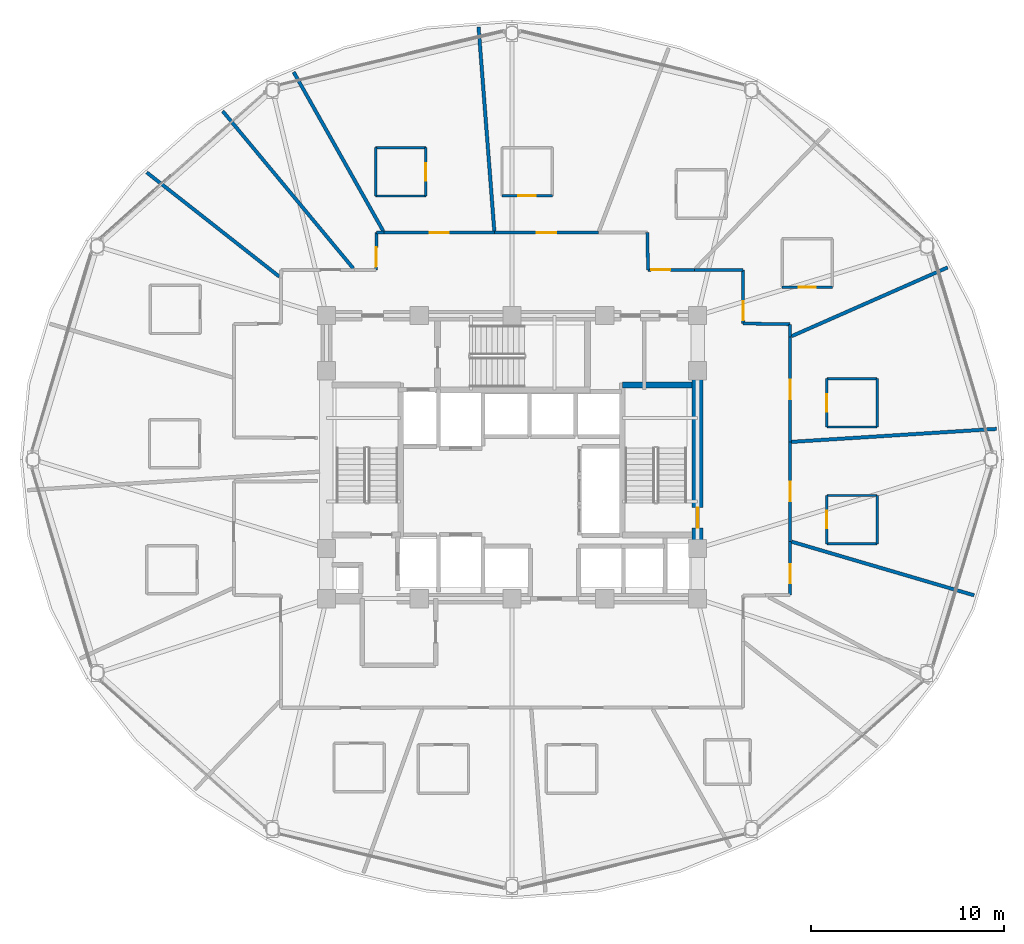
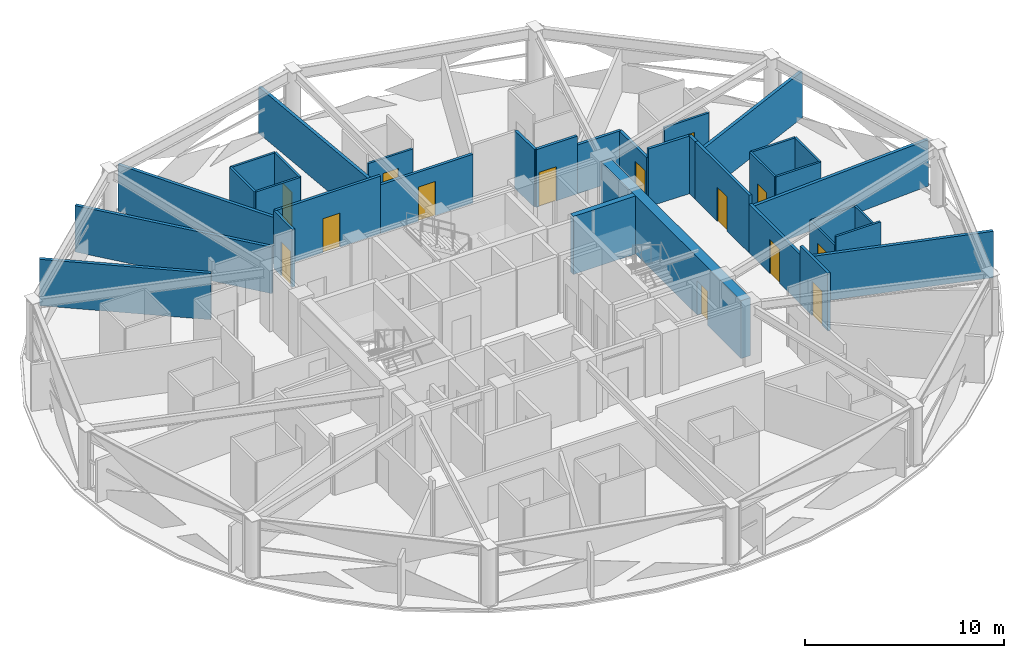
# One storey, part 25 of 30: 36 walls, 14 doors, 14 openings.
"""IFC4 building model written with IfcOpenShell, lengths in metres."""

from ifc_helpers import new_model, si_unit, direction, frame, frame_2d, origin, place, context, subcontext, project, spatial, rectangle, extrude, material, layer, layer_set, type_object, element, fill, save


model = new_model("IFC4")

# Units and contexts
model_context = context("Model", 3, precision=1e-05, world=origin(), true_north=direction((0.0, 1.0)))
body_context = subcontext(model_context, "Body", "Model", "MODEL_VIEW")
ifc_project = project(units=[si_unit("LENGTHUNIT", "METRE"), si_unit("AREAUNIT", "SQUARE_METRE"), si_unit("VOLUMEUNIT", "CUBIC_METRE"), si_unit("PLANEANGLEUNIT", "RADIAN"), si_unit("MASSUNIT", "GRAM", prefix="KILO")], contexts=[model_context])

# Site, building, storey
site_placement = place(None, origin())
site = spatial("IfcSite", under=ifc_project, at=site_placement, CompositionType="ELEMENT")
building_placement = place(site_placement, origin())
building = spatial("IfcBuilding", under=site, at=building_placement, Name="Vantalir Tower", CompositionType="ELEMENT")
storey_placement = place(building_placement, frame((0.0, 0.0, 153.449951171875)))
storey = spatial("IfcBuildingStorey", under=building, at=storey_placement, Name="L38", CompositionType="ELEMENT", Elevation=153.449951171875)

# Walls
ifc_material_1 = material(Name="Moisture-resistant en-suite partition", Category="gypsum")
ifc_layer_1 = layer(ifc_material_1, 0.125)
ifc_layer_set_1 = layer_set([ifc_layer_1], Name="Moisture-resistant en-suite partition")
wall_type_1 = type_object("IfcWallType", Name="WL-BATH-125", PredefinedType="PARTITIONING", material=ifc_layer_set_1)
for number, where, z_axis, x_axis, name in (
    (1, (47.7939453125, 26.68505859375, 0.0), (0.0, 0.0, 1.0), (1.0, 0.0, 0.0), "L38 En-suite 01 South Wall"),
    (2, (47.7939453125, 29.18505859375, 0.0), (0.0, 0.0, 1.0), (1.0, 0.0, 0.0), "L38 En-suite 01 North Wall"),
):
    element("IfcWall", number, at=place(storey_placement, frame(where, z_axis=z_axis, x_axis=x_axis)), inside=storey, type_object=wall_type_1, Name=name, PredefinedType="PARTITIONING", context=body_context, shape_type="SweptSolid", body=[
        extrude(rectangle(XDim=2.60009765625, YDim=0.125, at=frame_2d((1.300048828125, 0.0))), origin(), (0.0, 0.0, 1.0), 3.550048828125),
    ])

# Wall, opening, door
wall_1_placement = place(storey_placement, frame((47.7939453125, 26.68505859375, 0.0), z_axis=(0.0, 0.0, 1.0), x_axis=(0.0, 1.0, 0.0)))
wall_1 = element("IfcWall", 3, at=wall_1_placement, inside=storey, type_object=wall_type_1, Name="L38 En-suite 01 West Wall", PredefinedType="PARTITIONING", context=body_context, shape_type="SweptSolid", body=[
    extrude(rectangle(XDim=2.5, YDim=0.125, at=frame_2d((1.25, 0.0))), origin(), (0.0, 0.0, 1.0), 3.550048828125),
])
opening_1_placement = place(wall_1_placement, frame((0.800048828125, 0.0, 0.0)))
opening_1 = element("IfcOpeningElement", 4, at=opening_1_placement, cuts=wall_1, Name="Opening D-WC", PredefinedType="OPENING", context=body_context, shape_type="SweptSolid", body=[
    extrude(rectangle(XDim=0.89990234375, YDim=2.10009765625, at=frame_2d((0.449951171875, 1.050048828125))), frame((0.0, 0.072509765625, 0.0), z_axis=(0.0, -1.0, 0.0), x_axis=(1.0, 0.0, 0.0)), (0.0, 0.0, 1.0), 0.14501953125),
])
ifc_material_2 = material(Name="Moisture-resistant hardwood door", Category="wood")
door_type_1 = type_object("IfcDoorType", Name="DR-ENSUITE-900", OperationType="NOTDEFINED", PredefinedType="DOOR", material=ifc_material_2)
door_1_placement = place(opening_1_placement, frame((0.89990234375, 0.0, 0.0), z_axis=(0.0, 0.0, 1.0), x_axis=(-1.0, 0.0, 0.0)))
door_1 = element("IfcDoor", 5, at=door_1_placement, inside=storey, type_object=door_type_1, Name="L38 En-suite 01 Door", OperationType="SINGLE_SWING_RIGHT", OverallHeight=2.10009765625, OverallWidth=0.89990234375, PredefinedType="DOOR", context=body_context, shape_type="SweptSolid", body=[
    extrude(rectangle(XDim=0.89990234375, YDim=2.10009765625, at=frame_2d((0.449951171875, 1.050048828125))), frame((0.0, 0.02490234375, 0.0), z_axis=(0.0, -1.0, 0.0), x_axis=(1.0, 0.0, 0.0)), (0.0, 0.0, 1.0), 0.050048828125),
])
fill(opening_1, door_1)

# Wall
wall_2_placement = place(storey_placement, frame((50.39404296875, 26.68505859375, 0.0), z_axis=(0.0, 0.0, 1.0), x_axis=(0.0, 1.0, 0.0)))
element("IfcWall", 6, at=wall_2_placement, inside=storey, type_object=wall_type_1, Name="L38 En-suite 01 East Wall", PredefinedType="PARTITIONING", context=body_context, shape_type="SweptSolid", body=[
    extrude(rectangle(XDim=2.5, YDim=0.125, at=frame_2d((1.25, 0.0))), origin(), (0.0, 0.0, 1.0), 3.550048828125),
])

# Wall, opening, door
wall_3_placement = place(storey_placement, frame((45.47900390625, 33.919921875, 0.0), z_axis=(0.0, 0.0, 1.0), x_axis=(1.0, 0.0, 0.0)))
wall_3 = element("IfcWall", 7, at=wall_3_placement, inside=storey, type_object=wall_type_1, Name="L38 En-suite 02 South Wall", PredefinedType="PARTITIONING", context=body_context, shape_type="SweptSolid", body=[
    extrude(rectangle(XDim=2.60009765625, YDim=0.125, at=frame_2d((1.300048828125, 0.0))), origin(), (0.0, 0.0, 1.0), 3.006103515625),
])
opening_2_placement = place(wall_3_placement, frame((0.85009765625, 0.0, 0.0)))
opening_2 = element("IfcOpeningElement", 8, at=opening_2_placement, cuts=wall_3, Name="Opening D-WC", PredefinedType="OPENING", context=body_context, shape_type="SweptSolid", body=[
    extrude(rectangle(XDim=0.89990234375, YDim=2.10009765625, at=frame_2d((0.449951171875, 1.050048828125))), frame((0.0, 0.072509765625, 0.0), z_axis=(0.0, -1.0, 0.0), x_axis=(1.0, 0.0, 0.0)), (0.0, 0.0, 1.0), 0.14501953125),
])
door_2_placement = place(opening_2_placement, origin())
door_2 = element("IfcDoor", 9, at=door_2_placement, inside=storey, type_object=door_type_1, Name="L38 En-suite 02 Door", OperationType="SINGLE_SWING_LEFT", OverallHeight=2.10009765625, OverallWidth=0.89990234375, PredefinedType="DOOR", context=body_context, shape_type="SweptSolid", body=[
    extrude(rectangle(XDim=0.89990234375, YDim=2.10009765625, at=frame_2d((0.449951171875, 1.050048828125))), frame((0.0, 0.02490234375, 0.0), z_axis=(0.0, -1.0, 0.0), x_axis=(1.0, 0.0, 0.0)), (0.0, 0.0, 1.0), 0.050048828125),
])
fill(opening_2, door_2)

wall_4_placement = place(storey_placement, frame((30.98291015625, 38.64404296875, 0.0), z_axis=(0.0, 0.0, 1.0), x_axis=(1.0, 0.0, 0.0)))
wall_4 = element("IfcWall", 10, at=wall_4_placement, inside=storey, type_object=wall_type_1, Name="L38 En-suite 04 South Wall", PredefinedType="PARTITIONING", context=body_context, shape_type="SweptSolid", body=[
    extrude(rectangle(XDim=2.60009765625, YDim=0.125, at=frame_2d((1.300048828125, 0.0))), origin(), (0.0, 0.0, 1.0), 3.006103515625),
])
opening_3_placement = place(wall_4_placement, frame((0.85009765625, 0.0, 0.0)))
opening_3 = element("IfcOpeningElement", 11, at=opening_3_placement, cuts=wall_4, Name="Opening D-WC", PredefinedType="OPENING", context=body_context, shape_type="SweptSolid", body=[
    extrude(rectangle(XDim=0.89990234375, YDim=2.10009765625, at=frame_2d((0.449951171875, 1.050048828125))), frame((0.0, 0.072509765625, 0.0), z_axis=(0.0, -1.0, 0.0), x_axis=(1.0, 0.0, 0.0)), (0.0, 0.0, 1.0), 0.14501953125),
])
door_3_placement = place(opening_3_placement, origin())
door_3 = element("IfcDoor", 12, at=door_3_placement, inside=storey, type_object=door_type_1, Name="L38 En-suite 04 Door", OperationType="SINGLE_SWING_LEFT", OverallHeight=2.10009765625, OverallWidth=0.89990234375, PredefinedType="DOOR", context=body_context, shape_type="SweptSolid", body=[
    extrude(rectangle(XDim=0.89990234375, YDim=2.10009765625, at=frame_2d((0.449951171875, 1.050048828125))), frame((0.0, 0.02490234375, 0.0), z_axis=(0.0, -1.0, 0.0), x_axis=(1.0, 0.0, 0.0)), (0.0, 0.0, 1.0), 0.050048828125),
])
fill(opening_3, door_3)

# Walls
for number, where, z_axis, x_axis, name in (
    (13, (24.444091796875, 38.635986328125, 0.0), (0.0, 0.0, 1.0), (1.0, 0.0, 0.0), "L38 En-suite 05 South Wall"),
    (14, (24.444091796875, 41.135986328125, 0.0), (0.0, 0.0, 1.0), (1.0, 0.0, 0.0), "L38 En-suite 05 North Wall"),
):
    element("IfcWall", number, at=place(storey_placement, frame(where, z_axis=z_axis, x_axis=x_axis)), inside=storey, type_object=wall_type_1, Name=name, PredefinedType="PARTITIONING", context=body_context, shape_type="SweptSolid", body=[
        extrude(rectangle(XDim=2.599853515625, YDim=0.125, at=frame_2d((1.2998046875, 0.0))), origin(), (0.0, 0.0, 1.0), 3.550048828125),
    ])
wall_5_placement = place(storey_placement, frame((24.444091796875, 38.635986328125, 0.0), z_axis=(0.0, 0.0, 1.0), x_axis=(0.0, 1.0, 0.0)))
element("IfcWall", 15, at=wall_5_placement, inside=storey, type_object=wall_type_1, Name="L38 En-suite 05 West Wall", PredefinedType="PARTITIONING", context=body_context, shape_type="SweptSolid", body=[
    extrude(rectangle(XDim=2.5, YDim=0.125, at=frame_2d((1.25, 0.0))), origin(), (0.0, 0.0, 1.0), 3.550048828125),
])

# Wall, opening, door
wall_6_placement = place(storey_placement, frame((27.0439453125, 38.635986328125, 0.0), z_axis=(0.0, 0.0, 1.0), x_axis=(0.0, 1.0, 0.0)))
wall_6 = element("IfcWall", 16, at=wall_6_placement, inside=storey, type_object=wall_type_1, Name="L38 En-suite 05 East Wall", PredefinedType="PARTITIONING", context=body_context, shape_type="SweptSolid", body=[
    extrude(rectangle(XDim=2.5, YDim=0.125, at=frame_2d((1.25, 0.0))), origin(), (0.0, 0.0, 1.0), 3.550048828125),
])
opening_4_placement = place(wall_6_placement, frame((0.800048828125, 0.0, 0.0)))
opening_4 = element("IfcOpeningElement", 17, at=opening_4_placement, cuts=wall_6, Name="Opening D-WC", PredefinedType="OPENING", context=body_context, shape_type="SweptSolid", body=[
    extrude(rectangle(XDim=0.89990234375, YDim=2.10009765625, at=frame_2d((0.449951171875, 1.050048828125))), frame((0.0, 0.072509765625, 0.0), z_axis=(0.0, -1.0, 0.0), x_axis=(1.0, 0.0, 0.0)), (0.0, 0.0, 1.0), 0.14501953125),
])
door_4_placement = place(opening_4_placement, origin())
door_4 = element("IfcDoor", 18, at=door_4_placement, inside=storey, type_object=door_type_1, Name="L38 En-suite 05 Door", OperationType="SINGLE_SWING_RIGHT", OverallHeight=2.10009765625, OverallWidth=0.89990234375, PredefinedType="DOOR", context=body_context, shape_type="SweptSolid", body=[
    extrude(rectangle(XDim=0.89990234375, YDim=2.10009765625, at=frame_2d((0.449951171875, 1.050048828125))), frame((0.0, 0.02490234375, 0.0), z_axis=(0.0, -1.0, 0.0), x_axis=(1.0, 0.0, 0.0)), (0.0, 0.0, 1.0), 0.050048828125),
])
fill(opening_4, door_4)

# Walls
wall_7_placement = place(storey_placement, frame((47.7939453125, 20.64111328125, 0.0), z_axis=(0.0, 0.0, 1.0), x_axis=(1.0, 0.0, 0.0)))
element("IfcWall", 19, at=wall_7_placement, inside=storey, type_object=wall_type_1, Name="L38 En-suite 18 South Wall", PredefinedType="PARTITIONING", context=body_context, shape_type="SweptSolid", body=[
    extrude(rectangle(XDim=2.60009765625, YDim=0.125, at=frame_2d((1.300048828125, 0.0))), origin(), (0.0, 0.0, 1.0), 3.550048828125),
])
wall_8_placement = place(storey_placement, frame((47.7939453125, 23.14111328125, 0.0), z_axis=(0.0, 0.0, 1.0), x_axis=(1.0, 0.0, 0.0)))
element("IfcWall", 20, at=wall_8_placement, inside=storey, type_object=wall_type_1, Name="L38 En-suite 18 North Wall", PredefinedType="PARTITIONING", context=body_context, shape_type="SweptSolid", body=[
    extrude(rectangle(XDim=2.60009765625, YDim=0.125, at=frame_2d((1.300048828125, 0.0))), origin(), (0.0, 0.0, 1.0), 3.006103515625),
])

# Wall, opening, door
wall_9_placement = place(storey_placement, frame((47.7939453125, 20.64111328125, 0.0), z_axis=(0.0, 0.0, 1.0), x_axis=(0.0, 1.0, 0.0)))
wall_9 = element("IfcWall", 21, at=wall_9_placement, inside=storey, type_object=wall_type_1, Name="L38 En-suite 18 West Wall", PredefinedType="PARTITIONING", context=body_context, shape_type="SweptSolid", body=[
    extrude(rectangle(XDim=2.5, YDim=0.125, at=frame_2d((1.25, 0.0))), origin(), (0.0, 0.0, 1.0), 3.006103515625),
])
opening_5_placement = place(wall_9_placement, frame((0.800048828125, 0.0, 0.0)))
opening_5 = element("IfcOpeningElement", 22, at=opening_5_placement, cuts=wall_9, Name="Opening D-WC", PredefinedType="OPENING", context=body_context, shape_type="SweptSolid", body=[
    extrude(rectangle(XDim=0.89990234375, YDim=2.10009765625, at=frame_2d((0.449951171875, 1.050048828125))), frame((0.0, 0.072509765625, 0.0), z_axis=(0.0, -1.0, 0.0), x_axis=(1.0, 0.0, 0.0)), (0.0, 0.0, 1.0), 0.14501953125),
])
door_5_placement = place(opening_5_placement, frame((0.89990234375, 0.0, 0.0), z_axis=(0.0, 0.0, 1.0), x_axis=(-1.0, 0.0, 0.0)))
door_5 = element("IfcDoor", 23, at=door_5_placement, inside=storey, type_object=door_type_1, Name="L38 En-suite 18 Door", OperationType="SINGLE_SWING_LEFT", OverallHeight=2.10009765625, OverallWidth=0.89990234375, PredefinedType="DOOR", context=body_context, shape_type="SweptSolid", body=[
    extrude(rectangle(XDim=0.89990234375, YDim=2.10009765625, at=frame_2d((0.449951171875, 1.050048828125))), frame((0.0, 0.02490234375, 0.0), z_axis=(0.0, -1.0, 0.0), x_axis=(1.0, 0.0, 0.0)), (0.0, 0.0, 1.0), 0.050048828125),
])
fill(opening_5, door_5)

# Wall
wall_10_placement = place(storey_placement, frame((50.39404296875, 20.64111328125, 0.0), z_axis=(0.0, 0.0, 1.0), x_axis=(0.0, 1.0, 0.0)))
element("IfcWall", 24, at=wall_10_placement, inside=storey, type_object=wall_type_1, Name="L38 En-suite 18 East Wall", PredefinedType="PARTITIONING", context=body_context, shape_type="SweptSolid", body=[
    extrude(rectangle(XDim=2.5, YDim=0.125, at=frame_2d((1.25, 0.0))), origin(), (0.0, 0.0, 1.0), 3.006103515625),
])

# Wall, opening, door
ifc_material_3 = material(Name="Concrete C60/75", Category="concrete")
ifc_layer_2 = layer(ifc_material_3, 0.550048828125)
ifc_layer_set_2 = layer_set([ifc_layer_2], Name="Concrete C60/75")
wall_type_2 = type_object("IfcWallType", Name="WL-CORE-550", PredefinedType="SHEAR", material=ifc_layer_set_2)
wall_11_placement = place(storey_placement, frame((41.10009765625, 18.074951171875, 0.0), z_axis=(0.0, 0.0, 1.0), x_axis=(0.0, 1.0, 0.0)))
wall_11 = element("IfcWall", 25, at=wall_11_placement, inside=storey, type_object=wall_type_2, Name="L38 Core Shear Wall East", PredefinedType="SHEAR", context=body_context, shape_type="SweptSolid", body=[
    extrude(rectangle(XDim=14.10009765625, YDim=0.550048828125, at=frame_2d((7.050048828125, 0.0))), origin(), (0.0, 0.0, 1.0), 3.570068359375),
])
opening_6_placement = place(wall_11_placement, frame((3.385009765625, 0.0, 0.0)))
opening_6 = element("IfcOpeningElement", 26, at=opening_6_placement, cuts=wall_11, Name="Opening D-ST", PredefinedType="OPENING", context=body_context, shape_type="SweptSolid", body=[
    extrude(rectangle(XDim=1.050048828125, YDim=2.10009765625, at=frame_2d((0.52490234375, 1.050048828125))), frame((0.0, 0.284912109375, 0.0), z_axis=(0.0, -1.0, 0.0), x_axis=(1.0, 0.0, 0.0)), (0.0, 0.0, 1.0), 0.570068359375),
])
ifc_material_4 = material(Name="Fire-rated steel door leaf", Category="steel")
door_type_2 = type_object("IfcDoorType", Name="DR-FIRE-STAIR-1050", OperationType="NOTDEFINED", PredefinedType="DOOR", material=ifc_material_4)
door_6_placement = place(opening_6_placement, origin())
door_6 = element("IfcDoor", 27, at=door_6_placement, inside=storey, type_object=door_type_2, Name="L38 Exit Stair ST2 Fire Door", OperationType="SINGLE_SWING_LEFT", OverallHeight=2.10009765625, OverallWidth=1.050048828125, PredefinedType="DOOR", context=body_context, shape_type="SweptSolid", body=[
    extrude(rectangle(XDim=1.050048828125, YDim=2.10009765625, at=frame_2d((0.52490234375, 1.050048828125))), frame((0.0, 0.02490234375, 0.0), z_axis=(0.0, -1.0, 0.0), x_axis=(1.0, 0.0, 0.0)), (0.0, 0.0, 1.0), 0.050048828125),
])
fill(opening_6, door_6)

ifc_material_5 = material(Name="Fire-rated hotel corridor acoustic partition", Category="gypsum")
ifc_layer_3 = layer(ifc_material_5, 0.159912109375)
ifc_layer_set_3 = layer_set([ifc_layer_3], Name="Fire-rated hotel corridor acoustic partition")
wall_type_3 = type_object("IfcWallType", Name="WL-CORR-160", PredefinedType="PARTITIONING", material=ifc_layer_set_3)
wall_12_placement = place(storey_placement, frame((24.4599609375, 34.81494140625, 0.0), z_axis=(0.0, 0.0, 1.0), x_axis=(0.018766510621, 0.999823893533, 0.0)))
wall_12 = element("IfcWall", 28, at=wall_12_placement, inside=storey, type_object=wall_type_3, Name="L38 Corridor Partition 09", PredefinedType="PARTITIONING", context=body_context, shape_type="SweptSolid", body=[
    extrude(rectangle(XDim=1.92529296875, YDim=0.159912109375, at=frame_2d((0.962646484375, 0.0))), origin(), (0.0, 0.0, 1.0), 3.550048828125),
])
opening_7_placement = place(wall_12_placement, frame((0.159912109375, 0.0, 0.0)))
opening_7 = element("IfcOpeningElement", 29, at=opening_7_placement, cuts=wall_12, Name="Opening D-GUEST", PredefinedType="OPENING", context=body_context, shape_type="SweptSolid", body=[
    extrude(rectangle(XDim=1.0, YDim=2.10009765625, at=frame_2d((0.5, 1.050048828125))), frame((0.0, 0.08984375, 0.0), z_axis=(0.0, -1.0, 0.0), x_axis=(1.0, 0.0, 0.0)), (0.0, 0.0, 1.0), 0.179931640625),
])
ifc_material_6 = material(Name="Solid-core teak veneer acoustic fire door", Category="wood")
door_type_3 = type_object("IfcDoorType", Name="DR-GUEST-ENTRY-1000", OperationType="NOTDEFINED", PredefinedType="DOOR", material=ifc_material_6)
door_7_placement = place(opening_7_placement, origin())
door_7 = element("IfcDoor", 30, at=door_7_placement, inside=storey, type_object=door_type_3, Name="L38 Executive Business Study 06 Door", OperationType="SINGLE_SWING_LEFT", OverallHeight=2.10009765625, OverallWidth=1.0, PredefinedType="DOOR", context=body_context, shape_type="SweptSolid", body=[
    extrude(rectangle(XDim=1.0, YDim=2.10009765625, at=frame_2d((0.5, 1.050048828125))), frame((0.0, 0.02490234375, 0.0), z_axis=(0.0, -1.0, 0.0), x_axis=(1.0, 0.0, 0.0)), (0.0, 0.0, 1.0), 0.050048828125),
])
fill(opening_7, door_7)

# Wall
wall_13_placement = place(storey_placement, frame((24.49609375, 36.739990234375, 0.0), z_axis=(0.0, 0.0, 1.0), x_axis=(1.0, 0.0, 0.0)))
element("IfcWall", 31, at=wall_13_placement, inside=storey, type_object=wall_type_3, Name="L38 Corridor Partition 10", PredefinedType="PARTITIONING", context=body_context, shape_type="SweptSolid", body=[
    extrude(rectangle(XDim=0.388916015625, YDim=0.159912109375, at=frame_2d((0.1943359375, 0.0))), origin(), (0.0, 0.0, 1.0), 3.550048828125),
])

# Wall, opening, door
wall_14_placement = place(storey_placement, frame((24.885009765625, 36.739990234375, 0.0), z_axis=(0.0, 0.0, 1.0), x_axis=(1.0, 0.0, 0.0)))
wall_14 = element("IfcWall", 32, at=wall_14_placement, inside=storey, type_object=wall_type_3, Name="L38 Corridor Partition 11", PredefinedType="PARTITIONING", context=body_context, shape_type="SweptSolid", body=[
    extrude(rectangle(XDim=5.70703125, YDim=0.159912109375, at=frame_2d((2.853515625, 0.0))), origin(), (0.0, 0.0, 1.0), 3.550048828125),
])
opening_8_placement = place(wall_14_placement, frame((2.35302734375, 0.0, 0.0)))
opening_8 = element("IfcOpeningElement", 33, at=opening_8_placement, cuts=wall_14, Name="Opening D-GUEST", PredefinedType="OPENING", context=body_context, shape_type="SweptSolid", body=[
    extrude(rectangle(XDim=1.0, YDim=2.10009765625, at=frame_2d((0.5, 1.050048828125))), frame((0.0, 0.08984375, 0.0), z_axis=(0.0, -1.0, 0.0), x_axis=(1.0, 0.0, 0.0)), (0.0, 0.0, 1.0), 0.179931640625),
])
door_8_placement = place(opening_8_placement, origin())
door_8 = element("IfcDoor", 34, at=door_8_placement, inside=storey, type_object=door_type_3, Name="L38 Twin Queen Hotel Room 05 Door", OperationType="SINGLE_SWING_RIGHT", OverallHeight=2.10009765625, OverallWidth=1.0, PredefinedType="DOOR", context=body_context, shape_type="SweptSolid", body=[
    extrude(rectangle(XDim=1.0, YDim=2.10009765625, at=frame_2d((0.5, 1.050048828125))), frame((0.0, 0.02490234375, 0.0), z_axis=(0.0, -1.0, 0.0), x_axis=(1.0, 0.0, 0.0)), (0.0, 0.0, 1.0), 0.050048828125),
])
fill(opening_8, door_8)

wall_15_placement = place(storey_placement, frame((30.592041015625, 36.739990234375, 0.0), z_axis=(0.0, 0.0, 1.0), x_axis=(1.0, 0.0, 0.0)))
wall_15 = element("IfcWall", 35, at=wall_15_placement, inside=storey, type_object=wall_type_3, Name="L38 Corridor Partition 12", PredefinedType="PARTITIONING", context=body_context, shape_type="SweptSolid", body=[
    extrude(rectangle(XDim=5.37890625, YDim=0.159912109375, at=frame_2d((2.689453125, 0.0))), origin(), (0.0, 0.0, 1.0), 3.006103515625),
])
opening_9_placement = place(wall_15_placement, frame((2.18896484375, 0.0, 0.0)))
opening_9 = element("IfcOpeningElement", 36, at=opening_9_placement, cuts=wall_15, Name="Opening D-GUEST", PredefinedType="OPENING", context=body_context, shape_type="SweptSolid", body=[
    extrude(rectangle(XDim=1.0, YDim=2.10009765625, at=frame_2d((0.5, 1.050048828125))), frame((0.0, 0.08984375, 0.0), z_axis=(0.0, -1.0, 0.0), x_axis=(1.0, 0.0, 0.0)), (0.0, 0.0, 1.0), 0.179931640625),
])
door_9_placement = place(opening_9_placement, origin())
door_9 = element("IfcDoor", 37, at=door_9_placement, inside=storey, type_object=door_type_3, Name="L38 Deluxe King Hotel Room 04 Door", OperationType="SINGLE_SWING_LEFT", OverallHeight=2.10009765625, OverallWidth=1.0, PredefinedType="DOOR", context=body_context, shape_type="SweptSolid", body=[
    extrude(rectangle(XDim=1.0, YDim=2.10009765625, at=frame_2d((0.5, 1.050048828125))), frame((0.0, 0.02490234375, 0.0), z_axis=(0.0, -1.0, 0.0), x_axis=(1.0, 0.0, 0.0)), (0.0, 0.0, 1.0), 0.050048828125),
])
fill(opening_9, door_9)

# Wall
wall_16_placement = place(storey_placement, frame((38.5, 36.739990234375, 0.0), z_axis=(0.0, 0.0, 1.0), x_axis=(0.020794488077, -0.999783771255, 0.0)))
element("IfcWall", 38, at=wall_16_placement, inside=storey, type_object=wall_type_3, Name="L38 Corridor Partition 14", PredefinedType="PARTITIONING", context=body_context, shape_type="SweptSolid", body=[
    extrude(rectangle(XDim=1.925537109375, YDim=0.159912109375, at=frame_2d((0.962890625, 0.0))), origin(), (0.0, 0.0, 1.0), 3.550048828125),
])

# Wall, opening, door
wall_17_placement = place(storey_placement, frame((38.5400390625, 34.81494140625, 0.0), z_axis=(0.0, 0.0, 1.0), x_axis=(0.999999250619, -0.001224239034, 0.0)))
wall_17 = element("IfcWall", 39, at=wall_17_placement, inside=storey, type_object=wall_type_3, Name="L38 Corridor Partition 15", PredefinedType="PARTITIONING", context=body_context, shape_type="SweptSolid", body=[
    extrude(rectangle(XDim=2.39306640625, YDim=0.159912109375, at=frame_2d((1.196533203125, 0.0))), origin(), (0.0, 0.0, 1.0), 3.550048828125),
])
opening_10_placement = place(wall_17_placement, frame((0.159912109375, 0.0, 0.0)))
opening_10 = element("IfcOpeningElement", 40, at=opening_10_placement, cuts=wall_17, Name="Opening D-GUEST", PredefinedType="OPENING", context=body_context, shape_type="SweptSolid", body=[
    extrude(rectangle(XDim=1.0, YDim=2.10009765625, at=frame_2d((0.5, 1.050048828125))), frame((0.0, 0.08984375, 0.0), z_axis=(0.0, -1.0, 0.0), x_axis=(1.0, 0.0, 0.0)), (0.0, 0.0, 1.0), 0.179931640625),
])
door_10_placement = place(opening_10_placement, origin())
door_10 = element("IfcDoor", 41, at=door_10_placement, inside=storey, type_object=door_type_3, Name="L38 Twin Queen Hotel Room 03 Door", OperationType="SINGLE_SWING_RIGHT", OverallHeight=2.10009765625, OverallWidth=1.0, PredefinedType="DOOR", context=body_context, shape_type="SweptSolid", body=[
    extrude(rectangle(XDim=1.0, YDim=2.10009765625, at=frame_2d((0.5, 1.050048828125))), frame((0.0, 0.02490234375, 0.0), z_axis=(0.0, -1.0, 0.0), x_axis=(1.0, 0.0, 0.0)), (0.0, 0.0, 1.0), 0.050048828125),
])
fill(opening_10, door_10)

# Wall
wall_18_placement = place(storey_placement, frame((40.93310546875, 34.81201171875, 0.0), z_axis=(0.0, 0.0, 1.0), x_axis=(0.999998792776, -0.00155384876, 0.0)))
element("IfcWall", 42, at=wall_18_placement, inside=storey, type_object=wall_type_3, Name="L38 Corridor Partition 16", PredefinedType="PARTITIONING", context=body_context, shape_type="SweptSolid", body=[
    extrude(rectangle(XDim=2.513916015625, YDim=0.159912109375, at=frame_2d((1.2568359375, 0.0))), origin(), (0.0, 0.0, 1.0), 3.006103515625),
])

# Wall, opening, door
wall_19_placement = place(storey_placement, frame((43.447021484375, 34.80810546875, 0.0), z_axis=(0.0, 0.0, 1.0), x_axis=(0.006526585281, -0.999978701615, 0.0)))
wall_19 = element("IfcWall", 43, at=wall_19_placement, inside=storey, type_object=wall_type_3, Name="L38 Corridor Partition 17", PredefinedType="PARTITIONING", context=body_context, shape_type="SweptSolid", body=[
    extrude(rectangle(XDim=2.76806640625, YDim=0.159912109375, at=frame_2d((1.384033203125, 0.0))), origin(), (0.0, 0.0, 1.0), 3.006103515625),
])
opening_11_placement = place(wall_19_placement, frame((1.60791015625, 0.0, 0.0)))
opening_11 = element("IfcOpeningElement", 44, at=opening_11_placement, cuts=wall_19, Name="Opening D-GUEST", PredefinedType="OPENING", context=body_context, shape_type="SweptSolid", body=[
    extrude(rectangle(XDim=1.0, YDim=2.10009765625, at=frame_2d((0.5, 1.050048828125))), frame((0.0, 0.08984375, 0.0), z_axis=(0.0, -1.0, 0.0), x_axis=(1.0, 0.0, 0.0)), (0.0, 0.0, 1.0), 0.179931640625),
])
door_11_placement = place(opening_11_placement, origin())
door_11 = element("IfcDoor", 45, at=door_11_placement, inside=storey, type_object=door_type_3, Name="L38 Deluxe King Hotel Room 02 Door", OperationType="SINGLE_SWING_LEFT", OverallHeight=2.10009765625, OverallWidth=1.0, PredefinedType="DOOR", context=body_context, shape_type="SweptSolid", body=[
    extrude(rectangle(XDim=1.0, YDim=2.10009765625, at=frame_2d((0.5, 1.050048828125))), frame((0.0, 0.02490234375, 0.0), z_axis=(0.0, -1.0, 0.0), x_axis=(1.0, 0.0, 0.0)), (0.0, 0.0, 1.0), 0.050048828125),
])
fill(opening_11, door_11)

# Walls
wall_20_placement = place(storey_placement, frame((43.465087890625, 32.0400390625, 0.0), z_axis=(0.0, 0.0, 1.0), x_axis=(0.999864274557, -0.016475207578, 0.0)))
element("IfcWall", 46, at=wall_20_placement, inside=storey, type_object=wall_type_3, Name="L38 Corridor Partition 18", PredefinedType="PARTITIONING", context=body_context, shape_type="SweptSolid", body=[
    extrude(rectangle(XDim=2.43017578125, YDim=0.159912109375, at=frame_2d((1.215087890625, 0.0))), origin(), (0.0, 0.0, 1.0), 3.550048828125),
])
wall_21_placement = place(storey_placement, frame((45.89501953125, 32.0, 0.0), z_axis=(0.0, 0.0, 1.0), x_axis=(0.0, -1.0, 0.0)))
element("IfcWall", 47, at=wall_21_placement, inside=storey, type_object=wall_type_3, Name="L38 Corridor Partition 19", PredefinedType="PARTITIONING", context=body_context, shape_type="SweptSolid", body=[
    extrude(rectangle(XDim=0.652099609375, YDim=0.159912109375, at=frame_2d((0.326171875, 0.0))), origin(), (0.0, 0.0, 1.0), 3.550048828125),
])

# Wall, opening, door
wall_22_placement = place(storey_placement, frame((45.89501953125, 31.347900390625, 0.0), z_axis=(0.0, 0.0, 1.0), x_axis=(0.0, -1.0, 0.0)))
wall_22 = element("IfcWall", 48, at=wall_22_placement, inside=storey, type_object=wall_type_3, Name="L38 Corridor Partition 20", PredefinedType="PARTITIONING", context=body_context, shape_type="SweptSolid", body=[
    extrude(rectangle(XDim=5.43798828125, YDim=0.159912109375, at=frame_2d((2.718994140625, 0.0))), origin(), (0.0, 0.0, 1.0), 3.550048828125),
])
opening_12_placement = place(wall_22_placement, frame((2.218994140625, 0.0, 0.0)))
opening_12 = element("IfcOpeningElement", 49, at=opening_12_placement, cuts=wall_22, Name="Opening D-GUEST", PredefinedType="OPENING", context=body_context, shape_type="SweptSolid", body=[
    extrude(rectangle(XDim=1.0, YDim=2.10009765625, at=frame_2d((0.5, 1.050048828125))), frame((0.0, 0.08984375, 0.0), z_axis=(0.0, -1.0, 0.0), x_axis=(1.0, 0.0, 0.0)), (0.0, 0.0, 1.0), 0.179931640625),
])
door_12_placement = place(opening_12_placement, origin())
door_12 = element("IfcDoor", 50, at=door_12_placement, inside=storey, type_object=door_type_3, Name="L38 Twin Queen Hotel Room 01 Door", OperationType="SINGLE_SWING_RIGHT", OverallHeight=2.10009765625, OverallWidth=1.0, PredefinedType="DOOR", context=body_context, shape_type="SweptSolid", body=[
    extrude(rectangle(XDim=1.0, YDim=2.10009765625, at=frame_2d((0.5, 1.050048828125))), frame((0.0, 0.02490234375, 0.0), z_axis=(0.0, -1.0, 0.0), x_axis=(1.0, 0.0, 0.0)), (0.0, 0.0, 1.0), 0.050048828125),
])
fill(opening_12, door_12)

wall_23_placement = place(storey_placement, frame((45.89501953125, 25.909912109375, 0.0), z_axis=(0.0, 0.0, 1.0), x_axis=(0.0, -1.0, 0.0)))
wall_23 = element("IfcWall", 51, at=wall_23_placement, inside=storey, type_object=wall_type_3, Name="L38 Corridor Partition 21", PredefinedType="PARTITIONING", context=body_context, shape_type="SweptSolid", body=[
    extrude(rectangle(XDim=5.138916015625, YDim=0.159912109375, at=frame_2d((2.5693359375, 0.0))), origin(), (0.0, 0.0, 1.0), 3.006103515625),
])
opening_13_placement = place(wall_23_placement, frame((2.069091796875, 0.0, 0.0)))
opening_13 = element("IfcOpeningElement", 52, at=opening_13_placement, cuts=wall_23, Name="Opening D-GUEST", PredefinedType="OPENING", context=body_context, shape_type="SweptSolid", body=[
    extrude(rectangle(XDim=1.0, YDim=2.10009765625, at=frame_2d((0.5, 1.050048828125))), frame((0.0, 0.08984375, 0.0), z_axis=(0.0, -1.0, 0.0), x_axis=(1.0, 0.0, 0.0)), (0.0, 0.0, 1.0), 0.179931640625),
])
door_13_placement = place(opening_13_placement, origin())
door_13 = element("IfcDoor", 53, at=door_13_placement, inside=storey, type_object=door_type_3, Name="L38 Deluxe King Hotel Room 18 Door", OperationType="SINGLE_SWING_LEFT", OverallHeight=2.10009765625, OverallWidth=1.0, PredefinedType="DOOR", context=body_context, shape_type="SweptSolid", body=[
    extrude(rectangle(XDim=1.0, YDim=2.10009765625, at=frame_2d((0.5, 1.050048828125))), frame((0.0, 0.02490234375, 0.0), z_axis=(0.0, -1.0, 0.0), x_axis=(1.0, 0.0, 0.0)), (0.0, 0.0, 1.0), 0.050048828125),
])
fill(opening_13, door_13)

wall_24_placement = place(storey_placement, frame((45.89501953125, 20.77099609375, 0.0), z_axis=(0.0, 0.0, 1.0), x_axis=(0.0, -1.0, 0.0)))
wall_24 = element("IfcWall", 54, at=wall_24_placement, inside=storey, type_object=wall_type_3, Name="L38 Corridor Partition 22", PredefinedType="PARTITIONING", context=body_context, shape_type="SweptSolid", body=[
    extrude(rectangle(XDim=2.77490234375, YDim=0.159912109375, at=frame_2d((1.387451171875, 0.0))), origin(), (0.0, 0.0, 1.0), 3.550048828125),
])
opening_14_placement = place(wall_24_placement, frame((1.178955078125, 0.0, 0.0)))
opening_14 = element("IfcOpeningElement", 55, at=opening_14_placement, cuts=wall_24, Name="Opening D-GUEST", PredefinedType="OPENING", context=body_context, shape_type="SweptSolid", body=[
    extrude(rectangle(XDim=1.0, YDim=2.10009765625, at=frame_2d((0.5, 1.050048828125))), frame((0.0, 0.08984375, 0.0), z_axis=(0.0, -1.0, 0.0), x_axis=(1.0, 0.0, 0.0)), (0.0, 0.0, 1.0), 0.179931640625),
])
door_14_placement = place(opening_14_placement, origin())
door_14 = element("IfcDoor", 56, at=door_14_placement, inside=storey, type_object=door_type_3, Name="L38 Club Reading Lounge 17 Door", OperationType="SINGLE_SWING_RIGHT", OverallHeight=2.10009765625, OverallWidth=1.0, PredefinedType="DOOR", context=body_context, shape_type="SweptSolid", body=[
    extrude(rectangle(XDim=1.0, YDim=2.10009765625, at=frame_2d((0.5, 1.050048828125))), frame((0.0, 0.02490234375, 0.0), z_axis=(0.0, -1.0, 0.0), x_axis=(1.0, 0.0, 0.0)), (0.0, 0.0, 1.0), 0.050048828125),
])
fill(opening_14, door_14)

# Walls
ifc_material_7 = material(Name="Twin-stud acoustic fire-rated gypsum partition", Category="gypsum")
ifc_layer_4 = layer(ifc_material_7, 0.179931640625)
ifc_layer_set_4 = layer_set([ifc_layer_4], Name="Twin-stud acoustic fire-rated gypsum partition")
wall_type_4 = type_object("IfcWallType", Name="WL-GUEST-180", PredefinedType="PARTITIONING", material=ifc_layer_set_4)
wall_25_placement = place(storey_placement, frame((45.969970703125, 25.9150390625, 0.0), z_axis=(0.0, 0.0, 1.0), x_axis=(0.998005641889, 0.063124787182, 0.0)))
element("IfcWall", 57, at=wall_25_placement, inside=storey, type_object=wall_type_4, Name="L38 Radial Suite Partition 01", PredefinedType="PARTITIONING", context=body_context, shape_type="SweptSolid", body=[
    extrude(rectangle(XDim=10.628173828125, YDim=0.179931640625, at=frame_2d((5.31396484375, 0.0))), origin(), (0.0, 0.0, 1.0), 2.85205078125),
])
wall_26_placement = place(storey_placement, frame((45.969970703125, 31.382080078125, 0.0), z_axis=(0.0, 0.0, 1.0), x_axis=(0.914998050902, 0.403458259112, 0.0)))
element("IfcWall", 58, at=wall_26_placement, inside=storey, type_object=wall_type_4, Name="L38 Radial Suite Partition 02", PredefinedType="PARTITIONING", context=body_context, shape_type="SweptSolid", body=[
    extrude(rectangle(XDim=8.82080078125, YDim=0.179931640625, at=frame_2d((4.410400390625, 0.0))), origin(), (0.0, 0.0, 1.0), 2.85205078125),
])
wall_27_placement = place(storey_placement, frame((30.5859375, 36.81494140625, 0.0), z_axis=(0.0, 0.0, 1.0), x_axis=(-0.077068136428, 0.997025828325, 0.0)))
element("IfcWall", 59, at=wall_27_placement, inside=storey, type_object=wall_type_4, Name="L38 Radial Suite Partition 05", PredefinedType="PARTITIONING", context=body_context, shape_type="SweptSolid", body=[
    extrude(rectangle(XDim=10.599609375, YDim=0.179931640625, at=frame_2d((5.2998046875, 0.0))), origin(), (0.0, 0.0, 1.0), 2.85205078125),
])
wall_28_placement = place(storey_placement, frame((24.842041015625, 36.81494140625, 0.0), z_axis=(0.0, 0.0, 1.0), x_axis=(-0.490895094361, 0.871218690302, 0.0)))
element("IfcWall", 60, at=wall_28_placement, inside=storey, type_object=wall_type_4, Name="L38 Radial Suite Partition 06", PredefinedType="PARTITIONING", context=body_context, shape_type="SweptSolid", body=[
    extrude(rectangle(XDim=9.452392578125, YDim=0.179931640625, at=frame_2d((4.72607421875, 0.0))), origin(), (0.0, 0.0, 1.0), 2.85205078125),
])
wall_29_placement = place(storey_placement, frame((23.2880859375, 34.889892578125, 0.0), z_axis=(0.0, 0.0, 1.0), x_axis=(-0.638821611384, 0.76935489134, 0.0)))
element("IfcWall", 61, at=wall_29_placement, inside=storey, type_object=wall_type_4, Name="L38 Radial Suite Partition 07", PredefinedType="PARTITIONING", context=body_context, shape_type="SweptSolid", body=[
    extrude(rectangle(XDim=10.58056640625, YDim=0.179931640625, at=frame_2d((5.290283203125, 0.0))), origin(), (0.0, 0.0, 1.0), 2.85205078125),
])
wall_30_placement = place(storey_placement, frame((19.4599609375, 34.464111328125, 0.0), z_axis=(0.0, 0.0, 1.0), x_axis=(-0.786155203297, 0.618029122558, 0.0)))
element("IfcWall", 62, at=wall_30_placement, inside=storey, type_object=wall_type_4, Name="L38 Radial Suite Partition 08", PredefinedType="PARTITIONING", context=body_context, shape_type="SweptSolid", body=[
    extrude(rectangle(XDim=8.725830078125, YDim=0.179931640625, at=frame_2d((4.36279296875, 0.0))), origin(), (0.0, 0.0, 1.0), 2.85205078125),
])
wall_31_placement = place(storey_placement, frame((45.969970703125, 20.7490234375, 0.0), z_axis=(0.0, 0.0, 1.0), x_axis=(0.959441691332, -0.281907149489, 0.0)))
element("IfcWall", 63, at=wall_31_placement, inside=storey, type_object=wall_type_4, Name="L38 Radial Suite Partition 18", PredefinedType="PARTITIONING", context=body_context, shape_type="SweptSolid", body=[
    extrude(rectangle(XDim=9.84326171875, YDim=0.179931640625, at=frame_2d((4.921630859375, 0.0))), origin(), (0.0, 0.0, 1.0), 2.85205078125),
])
ifc_material_8 = material(Name="Concrete C50/60", Category="concrete")
ifc_layer_5 = layer(ifc_material_8, 0.300048828125)
ifc_layer_set_5 = layer_set([ifc_layer_5], Name="Concrete C50/60")
wall_type_5 = type_object("IfcWallType", Name="WL-STAIR-300", PredefinedType="SHEAR", material=ifc_layer_set_5)
wall_32_placement = place(storey_placement, frame((37.2099609375, 28.85009765625, 0.0), z_axis=(0.0, 0.0, 1.0), x_axis=(1.0, 0.0, 0.0)))
element("IfcWall", 64, at=wall_32_placement, inside=storey, type_object=wall_type_5, Name="L38 Stair ST2 North Wall", PredefinedType="SHEAR", context=body_context, shape_type="SweptSolid", body=[
    extrude(rectangle(XDim=3.614990234375, YDim=0.300048828125, at=frame_2d((1.8076171875, 0.0))), origin(), (0.0, 0.0, 1.0), 3.570068359375),
])

save(model, "model.ifc")
